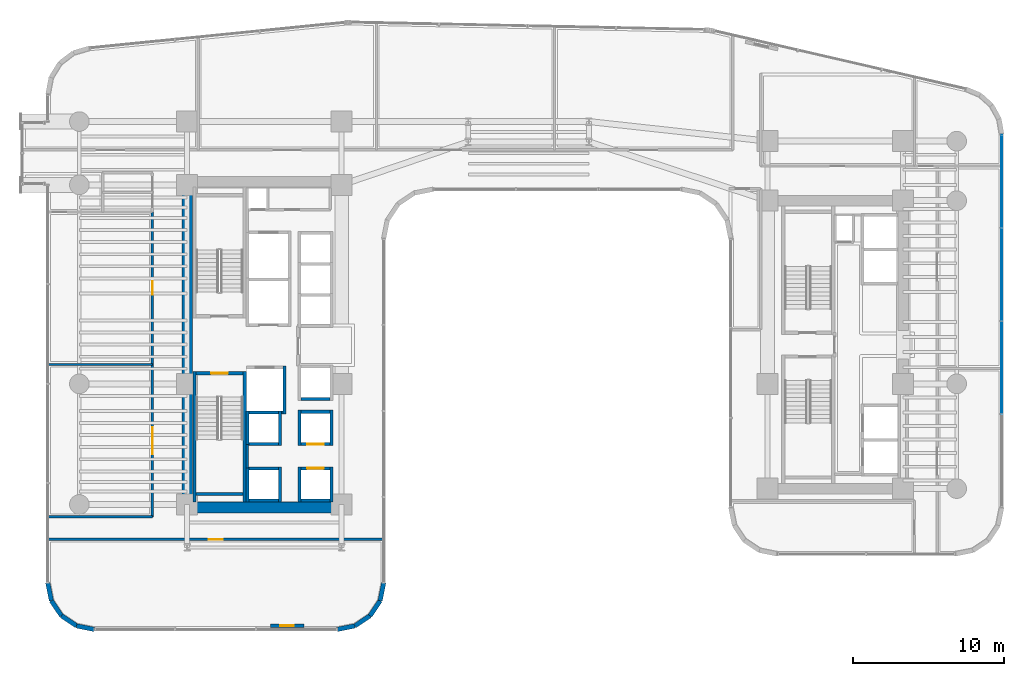
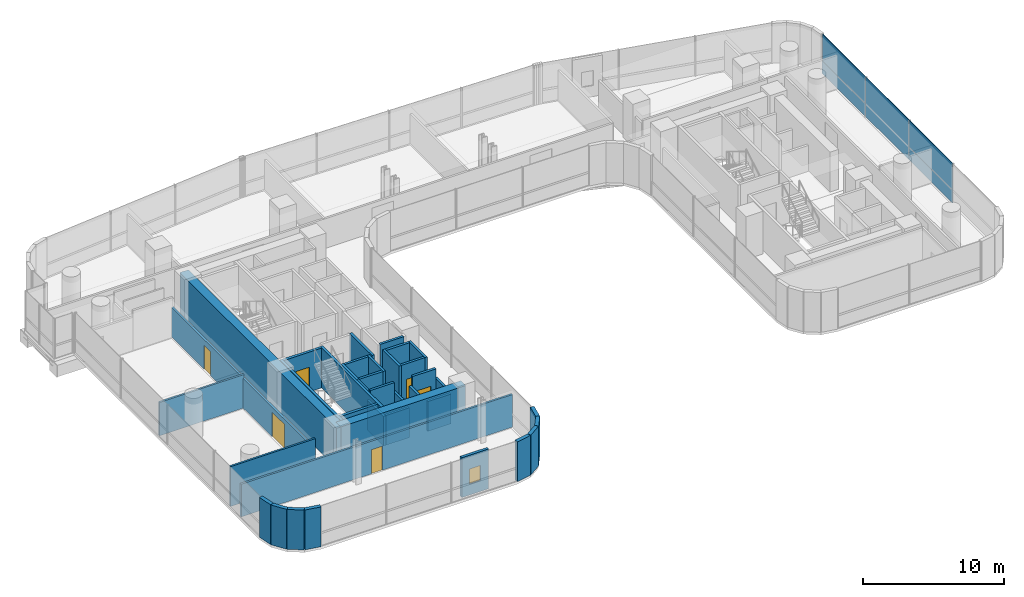
# One storey, part 31 of 40: 38 walls, 6 doors, 5 plates, 1 window, 7 openings, 1 element without a shape of its own.
"""IFC4 building model written with IfcOpenShell, lengths in metres."""

from ifc_helpers import new_model, si_unit, direction, frame, frame_2d, origin, origin_2d, place, context, subcontext, project, spatial, rectangle, extrude, source, transform, mapped, material, layer, layer_set, type_object, element, fill, aggregate, save


model = new_model("IFC4")

# Units and contexts
model_context = context("Model", 3, precision=1e-05, world=origin(), true_north=direction((0.0, 1.0)))
body_context = subcontext(model_context, "Body", "Model", "MODEL_VIEW")
ifc_project = project(units=[si_unit("LENGTHUNIT", "METRE"), si_unit("AREAUNIT", "SQUARE_METRE"), si_unit("VOLUMEUNIT", "CUBIC_METRE"), si_unit("PLANEANGLEUNIT", "RADIAN"), si_unit("MASSUNIT", "GRAM", prefix="KILO")], contexts=[model_context])

# Site, building, storey
site_placement = place(None, origin())
site = spatial("IfcSite", under=ifc_project, at=site_placement, CompositionType="ELEMENT")
building_placement = place(site_placement, origin())
building = spatial("IfcBuilding", under=site, at=building_placement, Name="Valdorenza Pilgrim Sanctuary Tower", CompositionType="ELEMENT")
storey_placement = place(building_placement, frame((0.0, 0.0, 51.89990234375)))
storey = spatial("IfcBuildingStorey", under=building, at=storey_placement, Name="L12", CompositionType="ELEMENT", Elevation=51.89990234375)

# Curtain wall, plates
ifc_material_1 = material(Name="Curtain-wall IGU glazing", Category="glass")
curtain_wall_type = type_object("IfcCurtainWallType", Name="CW-SYS-03", PredefinedType="NOTDEFINED", material=ifc_material_1)
curtain_wall_placement = place(storey_placement, origin())
curtain_wall = element("IfcCurtainWall", 1, at=curtain_wall_placement, inside=storey, type_object=curtain_wall_type, Name="L12 Curtain Wall CW-L12-1-21", PredefinedType="NOTDEFINED")
ifc_material_2 = material(Name="Honed travertine limestone", Category="masonry")
ifc_layer_1 = layer(ifc_material_2, 0.050048828125, Name="Honed travertine limestone")
ifc_layer_set_1 = layer_set([ifc_layer_1], Name="Honed travertine limestone")
plate_type_1 = type_object("IfcPlateType", Name="CW-SPN-TRV", PredefinedType="USERDEFINED", material=ifc_layer_set_1)
shared_shape_1 = source(origin(), body_context, "Body", "SweptSolid", [
    extrude(rectangle(XDim=6.16357421875, YDim=0.06005859375, at=origin_2d()), origin(), (0.0, 0.0, 1.0), 1.10009765625),
])
plate_1_placement = place(storey_placement, frame((31.389892578125, 10.853271484375, 0.010009765625), z_axis=(0.0, 0.0, 1.0), x_axis=(0.0, -1.0, 0.0)))
plate_1 = element("IfcPlate", 2, at=plate_1_placement, type_object=plate_type_1, Name="CW-L12-1-21 Travertine Spandrel 1", ObjectType="SPANDREL", PredefinedType="USERDEFINED", context=body_context, shape_type="MappedRepresentation", body=[
    mapped(shared_shape_1, transform((0.0, 0.0, 0.0), x_axis=(1.0, 0.0, 0.0), y_axis=(0.0, 1.0, 0.0), z_axis=(0.0, 0.0, 1.0), scale=1.0)),
])
plate_2_placement = place(storey_placement, frame((31.389892578125, -1.513916015625, 0.010009765625), z_axis=(0.0, 0.0, 1.0), x_axis=(0.0, -1.0, 0.0)))
plate_2 = element("IfcPlate", 3, at=plate_2_placement, type_object=plate_type_1, Name="CW-L12-1-21 Travertine Spandrel 3", ObjectType="SPANDREL", PredefinedType="USERDEFINED", context=body_context, shape_type="MappedRepresentation", body=[
    mapped(shared_shape_1, transform((0.0, 0.0, 0.0), x_axis=(1.0, 0.0, 0.0), y_axis=(0.0, 1.0, 0.0), z_axis=(0.0, 0.0, 1.0), scale=1.0)),
])
ifc_material_3 = material(Name="Ceramic-fritted low-E IGU glazing", Category="glass")
ifc_layer_2 = layer(ifc_material_3, 0.035888671875, Name="Ceramic-fritted low-E IGU glazing")
ifc_layer_set_2 = layer_set([ifc_layer_2], Name="Ceramic-fritted low-E IGU glazing")
plate_type_2 = type_object("IfcPlateType", Name="CW-GLZ-IGU", PredefinedType="USERDEFINED", material=ifc_layer_set_2)
shared_shape_2 = source(origin(), body_context, "Body", "SweptSolid", [
    extrude(rectangle(XDim=6.16357421875, YDim=0.050048828125, at=origin_2d()), origin(), (0.0, 0.0, 1.0), 2.320068359375),
])
plate_3_placement = place(storey_placement, frame((31.389892578125, 10.853271484375, 1.1298828125), z_axis=(0.0, 0.0, 1.0), x_axis=(0.0, -1.0, 0.0)))
plate_3 = element("IfcPlate", 4, at=plate_3_placement, type_object=plate_type_2, Name="CW-L12-1-21 Facade Panel 1", ObjectType="GLAZING", PredefinedType="USERDEFINED", context=body_context, shape_type="MappedRepresentation", body=[
    mapped(shared_shape_2, transform((0.0, 0.0, 0.0), x_axis=(1.0, 0.0, 0.0), y_axis=(0.0, 1.0, 0.0), z_axis=(0.0, 0.0, 1.0), scale=1.0)),
])
plate_4_placement = place(storey_placement, frame((31.389892578125, -1.513916015625, 1.1298828125), z_axis=(0.0, 0.0, 1.0), x_axis=(0.0, -1.0, 0.0)))
plate_4 = element("IfcPlate", 5, at=plate_4_placement, type_object=plate_type_2, Name="CW-L12-1-21 Facade Panel 3", ObjectType="GLAZING", PredefinedType="USERDEFINED", context=body_context, shape_type="MappedRepresentation", body=[
    mapped(shared_shape_2, transform((0.0, 0.0, 0.0), x_axis=(1.0, 0.0, 0.0), y_axis=(0.0, 1.0, 0.0), z_axis=(0.0, 0.0, 1.0), scale=1.0)),
])
shared_shape_3 = source(origin(), body_context, "Body", "SweptSolid", [
    extrude(rectangle(XDim=6.16357421875, YDim=0.050048828125, at=origin_2d()), origin(), (0.0, 0.0, 1.0), 3.43994140625),
])
plate_5_placement = place(storey_placement, frame((31.389892578125, 4.669677734375, 0.010009765625), z_axis=(0.0, 0.0, 1.0), x_axis=(0.0, -1.0, 0.0)))
plate_5 = element("IfcPlate", 6, at=plate_5_placement, type_object=plate_type_2, Name="CW-L12-1-21 Full-Height Facade Panel 2", ObjectType="GLAZING", PredefinedType="USERDEFINED", context=body_context, shape_type="MappedRepresentation", body=[
    mapped(shared_shape_3, transform((0.0, 0.0, 0.0), x_axis=(1.0, 0.0, 0.0), y_axis=(0.0, 1.0, 0.0), z_axis=(0.0, 0.0, 1.0), scale=1.0)),
])
aggregate(curtain_wall, [plate_1, plate_3, plate_5, plate_2, plate_4])

# Wall
ifc_material_4 = material(Name="Acoustic twin-stud gypsum partition", Category="gypsum")
ifc_layer_3 = layer(ifc_material_4, 0.159912109375, Name="Acoustic twin-stud gypsum partition")
ifc_layer_set_3 = layer_set([ifc_layer_3], Name="Acoustic twin-stud gypsum partition")
wall_type_1 = type_object("IfcWallType", Name="WAL-COR-160", PredefinedType="PARTITIONING", material=ifc_layer_set_3)
wall_1_placement = place(storey_placement, frame((-18.64990234375, -8.179931640625, 0.0), z_axis=(0.0, 0.0, 1.0), x_axis=(0.0, 1.0, 0.0)))
element("IfcWall", 7, at=wall_1_placement, inside=storey, type_object=wall_type_1, Name="L12 Core A South Lift Hall West Wall", PredefinedType="PARTITIONING", context=body_context, shape_type="SweptSolid", body=[
    extrude(rectangle(XDim=1.559814453125, YDim=0.159912109375, at=frame_2d((0.77978515625, 0.0))), origin(), (0.0, 0.0, 1.0), 3.460205078125),
])

# Wall, openings, doors
wall_2_placement = place(storey_placement, frame((-24.949951171875, -11.419921875, 0.0), z_axis=(0.0, 0.0, 1.0), x_axis=(0.0, 1.0, 0.0)))
wall_2 = element("IfcWall", 8, at=wall_2_placement, inside=storey, type_object=wall_type_1, Name="L12 West Wing Corridor Wall", PredefinedType="PARTITIONING", context=body_context, shape_type="SweptSolid", body=[
    extrude(rectangle(XDim=20.219970703125, YDim=0.159912109375, at=frame_2d((10.10986328125, 0.0))), origin(), (0.0, 0.0, 1.0), 2.5830078125),
])
opening_1_placement = place(wall_2_placement, frame((4.155029296875, 0.0, 0.0)))
opening_1 = element("IfcOpeningElement", 9, at=opening_1_placement, cuts=wall_2, Name="Opening DR-HL1", PredefinedType="OPENING", context=body_context, shape_type="SweptSolid", body=[
    extrude(rectangle(XDim=1.800048828125, YDim=2.14990234375, at=frame_2d((0.89990234375, 1.074951171875))), frame((0.0, 0.0947265625, 0.0), z_axis=(0.0, -1.0, 0.0), x_axis=(1.0, 0.0, 0.0)), (0.0, 0.0, 1.0), 0.189697265625),
])
opening_2_placement = place(wall_2_placement, frame((14.715087890625, 0.0, 0.0)))
opening_2 = element("IfcOpeningElement", 10, at=opening_2_placement, cuts=wall_2, Name="Opening DR-RM1", PredefinedType="OPENING", context=body_context, shape_type="SweptSolid", body=[
    extrude(rectangle(XDim=0.89990234375, YDim=2.10009765625, at=frame_2d((0.449951171875, 1.050048828125))), frame((0.0, 0.0947265625, 0.0), z_axis=(0.0, -1.0, 0.0), x_axis=(1.0, 0.0, 0.0)), (0.0, 0.0, 1.0), 0.189697265625),
])
ifc_material_5 = material(Name="Acoustic oak and vision-glass double door", Category="glass")
door_type_1 = type_object("IfcDoorType", Name="DR-HALL-1800", OperationType="NOTDEFINED", PredefinedType="DOOR", material=ifc_material_5)
door_1_placement = place(opening_1_placement, origin())
door_1 = element("IfcDoor", 11, at=door_1_placement, inside=storey, type_object=door_type_1, Name="L12 Sacred Art Exhibition Gallery L12-W1 Door", OperationType="DOUBLE_DOOR_SINGLE_SWING", OverallHeight=2.14990234375, OverallWidth=1.800048828125, PredefinedType="DOOR", context=body_context, shape_type="SweptSolid", body=[
    extrude(rectangle(XDim=1.800048828125, YDim=2.14990234375, at=frame_2d((0.89990234375, 1.074951171875))), frame((0.0, 0.02490234375, 0.0), z_axis=(0.0, -1.0, 0.0), x_axis=(1.0, 0.0, 0.0)), (0.0, 0.0, 1.0), 0.050048828125),
])
fill(opening_1, door_1)
ifc_material_6 = material(Name="Solid-core European oak timber", Category="wood")
door_type_2 = type_object("IfcDoorType", Name="DR-ROOM-900", OperationType="NOTDEFINED", PredefinedType="DOOR", material=ifc_material_6)
door_2_placement = place(opening_2_placement, frame((0.89990234375, 0.0, 0.0), z_axis=(0.0, 0.0, 1.0), x_axis=(-1.0, 0.0, 0.0)))
door_2 = element("IfcDoor", 12, at=door_2_placement, inside=storey, type_object=door_type_2, Name="L12 Sacred Manuscript Archive L12-W2 Door", OperationType="SINGLE_SWING_LEFT", OverallHeight=2.10009765625, OverallWidth=0.89990234375, PredefinedType="DOOR", context=body_context, shape_type="SweptSolid", body=[
    extrude(rectangle(XDim=0.89990234375, YDim=2.10009765625, at=frame_2d((0.449951171875, 1.050048828125))), frame((0.0, 0.02490234375, 0.0), z_axis=(0.0, -1.0, 0.0), x_axis=(1.0, 0.0, 0.0)), (0.0, 0.0, 1.0), 0.050048828125),
])
fill(opening_2, door_2)

# Wall, opening, door
wall_3_placement = place(storey_placement, frame((-31.889892578125, -12.919921875, 0.0), z_axis=(0.0, 0.0, 1.0), x_axis=(1.0, 0.0, 0.0)))
wall_3 = element("IfcWall", 13, at=wall_3_placement, inside=storey, type_object=wall_type_1, Name="L12 South Wing Corridor Wall", PredefinedType="PARTITIONING", context=body_context, shape_type="SweptSolid", body=[
    extrude(rectangle(XDim=22.27978515625, YDim=0.159912109375, at=frame_2d((11.139892578125, 0.0))), origin(), (0.0, 0.0, 1.0), 2.833984375),
])
opening_3_placement = place(wall_3_placement, frame((10.68994140625, 0.0, 0.0)))
opening_3 = element("IfcOpeningElement", 14, at=opening_3_placement, cuts=wall_3, Name="Opening DR-RM1", PredefinedType="OPENING", context=body_context, shape_type="SweptSolid", body=[
    extrude(rectangle(XDim=0.89990234375, YDim=2.10009765625, at=frame_2d((0.449951171875, 1.050048828125))), frame((0.0, 0.0947265625, 0.0), z_axis=(0.0, -1.0, 0.0), x_axis=(1.0, 0.0, 0.0)), (0.0, 0.0, 1.0), 0.189697265625),
])
door_3_placement = place(opening_3_placement, origin())
door_3 = element("IfcDoor", 15, at=door_3_placement, inside=storey, type_object=door_type_2, Name="L12 Pilgrim Scholar Office L12-S1 Door", OperationType="SINGLE_SWING_RIGHT", OverallHeight=2.10009765625, OverallWidth=0.89990234375, PredefinedType="DOOR", context=body_context, shape_type="SweptSolid", body=[
    extrude(rectangle(XDim=0.89990234375, YDim=2.10009765625, at=frame_2d((0.449951171875, 1.050048828125))), frame((0.0, 0.02490234375, 0.0), z_axis=(0.0, -1.0, 0.0), x_axis=(1.0, 0.0, 0.0)), (0.0, 0.0, 1.0), 0.050048828125),
])
fill(opening_3, door_3)

# Walls
wall_4_placement = place(storey_placement, frame((-31.889892578125, -11.419921875, 0.0), z_axis=(0.0, 0.0, 1.0), x_axis=(1.0, 0.0, 0.0)))
element("IfcWall", 16, at=wall_4_placement, inside=storey, type_object=wall_type_1, Name="L12 South-West Corridor North Wall", PredefinedType="PARTITIONING", context=body_context, shape_type="SweptSolid", body=[
    extrude(rectangle(XDim=6.93994140625, YDim=0.159912109375, at=frame_2d((3.469970703125, 0.0))), origin(), (0.0, 0.0, 1.0), 3.460205078125),
])
ifc_material_7 = material(Name="Concrete C60/75", Category="concrete")
ifc_layer_4 = layer(ifc_material_7, 0.699951171875, Name="Concrete C60/75")
ifc_layer_set_4 = layer_set([ifc_layer_4], Name="Concrete C60/75")
wall_type_2 = type_object("IfcWallType", Name="WAL-COR-700", PredefinedType="SHEAR", material=ifc_layer_set_4)
wall_5_placement = place(storey_placement, frame((-22.64990234375, -11.14990234375, 0.0), z_axis=(0.0, 0.0, 1.0), x_axis=(0.0, 1.0, 0.0)))
element("IfcWall", 17, at=wall_5_placement, inside=storey, type_object=wall_type_2, Name="L12 Split Core A Shear Wall W", PredefinedType="SHEAR", context=body_context, shape_type="SweptSolid", body=[
    extrude(rectangle(XDim=22.2998046875, YDim=0.699951171875, at=frame_2d((11.14990234375, 0.0))), origin(), (0.0, 0.0, 1.0), 3.460205078125),
])
wall_6_placement = place(storey_placement, frame((-22.64990234375, -10.800048828125, 0.0), z_axis=(0.0, 0.0, 1.0), x_axis=(1.0, 0.0, 0.0)))
element("IfcWall", 18, at=wall_6_placement, inside=storey, type_object=wall_type_2, Name="L12 Split Core A Shear Wall S", PredefinedType="SHEAR", context=body_context, shape_type="SweptSolid", body=[
    extrude(rectangle(XDim=10.25, YDim=0.699951171875, at=frame_2d((5.125, 0.0))), origin(), (0.0, 0.0, 1.0), 3.460205078125),
])
ifc_layer_5 = layer(ifc_material_2, 0.300048828125, Name="Honed travertine limestone")
ifc_layer_set_5 = layer_set([ifc_layer_5], Name="Honed travertine limestone")
wall_type_3 = type_object("IfcWallType", Name="WAL-EXT-300", PredefinedType="SOLIDWALL", material=ifc_layer_set_5)
wall_7_placement = place(storey_placement, frame((-9.610107421875, -15.789306640625, 0.0), z_axis=(0.0, 0.0, 1.0), x_axis=(-0.194996050505, -0.980804027463, 0.0)))
element("IfcWall", 19, at=wall_7_placement, inside=storey, type_object=wall_type_3, Name="L12 Rounded Wind-Corner Stone Pier 42", PredefinedType="SOLIDWALL", context=body_context, shape_type="SweptSolid", body=[
    extrude(rectangle(XDim=1.2158203125, YDim=0.300048828125, at=frame_2d((0.60791015625, 0.0))), origin(), (0.0, 0.0, 1.0), 3.460205078125),
])
for number, where, z_axis, x_axis, name in (
    (20, (-9.84716796875, -16.981689453125, 0.0), (0.0, 0.0, 1.0), (-0.555635100982, -0.831426265255, 0.0), "L12 Rounded Wind-Corner Stone Pier 43"),
    (21, (-10.5166015625, -17.9833984375, 0.0), (0.0, 0.0, 1.0), (-0.831426265255, -0.555635100982, 0.0), "L12 Rounded Wind-Corner Stone Pier 44"),
):
    element("IfcWall", number, at=place(storey_placement, frame(where, z_axis=z_axis, x_axis=x_axis)), inside=storey, type_object=wall_type_3, Name=name, PredefinedType="SOLIDWALL", context=body_context, shape_type="SweptSolid", body=[
        extrude(rectangle(XDim=1.204833984375, YDim=0.300048828125, at=frame_2d((0.6025390625, 0.0))), origin(), (0.0, 0.0, 1.0), 3.460205078125),
    ])
wall_8_placement = place(storey_placement, frame((-11.518310546875, -18.65283203125, 0.0), z_axis=(0.0, 0.0, 1.0), x_axis=(-0.980804027463, -0.194996050505, 0.0)))
element("IfcWall", 22, at=wall_8_placement, inside=storey, type_object=wall_type_3, Name="L12 Rounded Wind-Corner Stone Pier 45", PredefinedType="SOLIDWALL", context=body_context, shape_type="SweptSolid", body=[
    extrude(rectangle(XDim=1.2158203125, YDim=0.300048828125, at=frame_2d((0.60791015625, 0.0))), origin(), (0.0, 0.0, 1.0), 3.460205078125),
])

# Wall, opening, window
wall_9_placement = place(storey_placement, frame((-14.910888671875, -18.64990234375, 0.0), z_axis=(0.0, 0.0, 1.0), x_axis=(-1.0, 0.0, 0.0)))
wall_9 = element("IfcWall", 23, at=wall_9_placement, inside=storey, type_object=wall_type_3, Name="L12 Operable Ventilation Sash Jamb Pier", PredefinedType="SOLIDWALL", context=body_context, shape_type="SweptSolid", body=[
    extrude(rectangle(XDim=2.199951171875, YDim=0.219970703125, at=frame_2d((1.10009765625, 0.0))), origin(), (0.0, 0.0, 1.0), 3.460205078125),
])
opening_4_placement = place(wall_9_placement, frame((0.64990234375, 0.0, 0.949951171875)))
opening_4 = element("IfcOpeningElement", 24, at=opening_4_placement, cuts=wall_9, Name="Opening WN-OP1", PredefinedType="OPENING", context=body_context, shape_type="SweptSolid", body=[
    extrude(rectangle(XDim=0.89990234375, YDim=1.300048828125, at=frame_2d((0.449951171875, 0.64990234375))), frame((0.0, 0.125, 0.0), z_axis=(0.0, -1.0, 0.0), x_axis=(1.0, 0.0, 0.0)), (0.0, 0.0, 1.0), 0.249755859375),
])
window_type = type_object("IfcWindowType", Name="WIN-OPN-900", PartitioningType="SINGLE_PANEL", PredefinedType="WINDOW", material=ifc_material_3)
window_placement = place(opening_4_placement, origin())
window = element("IfcWindow", 25, at=window_placement, inside=storey, type_object=window_type, Name="L12 Parallel-Pop-Out Operable Facade Panel", OverallHeight=1.300048828125, OverallWidth=0.89990234375, PartitioningType="SINGLE_PANEL", PredefinedType="WINDOW", context=body_context, shape_type="SweptSolid", body=[
    extrude(rectangle(XDim=0.89990234375, YDim=1.300048828125, at=frame_2d((0.449951171875, 0.64990234375))), frame((0.0, 0.030029296875, 0.0), z_axis=(0.0, -1.0, 0.0), x_axis=(1.0, 0.0, 0.0)), (0.0, 0.0, 1.0), 0.06005859375),
])
fill(opening_4, window)

# Walls
wall_10_placement = place(storey_placement, frame((-28.789306640625, -18.889892578125, 0.0), z_axis=(0.0, 0.0, 1.0), x_axis=(-0.980804027463, 0.194996050505, 0.0)))
element("IfcWall", 26, at=wall_10_placement, inside=storey, type_object=wall_type_3, Name="L12 Rounded Wind-Corner Stone Pier 47", PredefinedType="SOLIDWALL", context=body_context, shape_type="SweptSolid", body=[
    extrude(rectangle(XDim=1.2158203125, YDim=0.300048828125, at=frame_2d((0.60791015625, 0.0))), origin(), (0.0, 0.0, 1.0), 3.460205078125),
])
for number, where, z_axis, x_axis, name in (
    (27, (-29.981689453125, -18.65283203125, 0.0), (0.0, 0.0, 1.0), (-0.831426265255, 0.555635100982, 0.0), "L12 Rounded Wind-Corner Stone Pier 48"),
    (28, (-30.9833984375, -17.9833984375, 0.0), (0.0, 0.0, 1.0), (-0.555635100982, 0.831426265255, 0.0), "L12 Rounded Wind-Corner Stone Pier 49"),
):
    element("IfcWall", number, at=place(storey_placement, frame(where, z_axis=z_axis, x_axis=x_axis)), inside=storey, type_object=wall_type_3, Name=name, PredefinedType="SOLIDWALL", context=body_context, shape_type="SweptSolid", body=[
        extrude(rectangle(XDim=1.204833984375, YDim=0.300048828125, at=frame_2d((0.6025390625, 0.0))), origin(), (0.0, 0.0, 1.0), 3.460205078125),
    ])
wall_11_placement = place(storey_placement, frame((-31.65283203125, -16.981689453125, 0.0), z_axis=(0.0, 0.0, 1.0), x_axis=(-0.194996050505, 0.980804027463, 0.0)))
element("IfcWall", 29, at=wall_11_placement, inside=storey, type_object=wall_type_3, Name="L12 Rounded Wind-Corner Stone Pier 50", PredefinedType="SOLIDWALL", context=body_context, shape_type="SweptSolid", body=[
    extrude(rectangle(XDim=1.2158203125, YDim=0.300048828125, at=frame_2d((0.60791015625, 0.0))), origin(), (0.0, 0.0, 1.0), 3.460205078125),
])
ifc_material_8 = material(Name="Autoclaved aerated concrete blockwork", Category="masonry")
ifc_layer_6 = layer(ifc_material_8, 0.199951171875, Name="Autoclaved aerated concrete blockwork")
ifc_layer_set_6 = layer_set([ifc_layer_6], Name="Autoclaved aerated concrete blockwork")
wall_type_4 = type_object("IfcWallType", Name="WAL-SHF-200", PredefinedType="MOVABLE", material=ifc_layer_set_6)
wall_12_placement = place(storey_placement, frame((-16.199951171875, -4.60009765625, 0.0), z_axis=(0.0, 0.0, 1.0), x_axis=(0.0, 1.0, 0.0)))
element("IfcWall", 30, at=wall_12_placement, inside=storey, type_object=wall_type_4, Name="L12 Lift FFL-02 Hoistway Wall East", PredefinedType="MOVABLE", context=body_context, shape_type="SweptSolid", body=[
    extrude(rectangle(XDim=3.2001953125, YDim=0.199951171875, at=frame_2d((1.60009765625, 0.0))), origin(), (0.0, 0.0, 1.0), 3.460205078125),
])
wall_13_placement = place(storey_placement, frame((-18.719970703125, -4.5, 0.0), z_axis=(0.0, 0.0, 1.0), x_axis=(1.0, 0.0, 0.0)))
element("IfcWall", 31, at=wall_13_placement, inside=storey, type_object=wall_type_4, Name="L12 Lift FFL-02 Hoistway Wall South", PredefinedType="MOVABLE", context=body_context, shape_type="SweptSolid", body=[
    extrude(rectangle(XDim=2.419921875, YDim=0.199951171875, at=frame_2d((1.2099609375, 0.0))), origin(), (0.0, 0.0, 1.0), 3.460205078125),
])
for number, where, z_axis, x_axis, name in (
    (32, (-15.199951171875, -10.449951171875, 0.0), (0.0, 0.0, 1.0), (0.0, 1.0, 0.0), "L12 Lift PL-01 Hoistway Wall West"),
    (33, (-13.080078125, -10.449951171875, 0.0), (0.0, 0.0, 1.0), (0.0, 1.0, 0.0), "L12 Lift PL-01 Hoistway Wall East"),
):
    element("IfcWall", number, at=place(storey_placement, frame(where, z_axis=z_axis, x_axis=x_axis)), inside=storey, type_object=wall_type_4, Name=name, PredefinedType="MOVABLE", context=body_context, shape_type="SweptSolid", body=[
        extrude(rectangle(XDim=2.349853515625, YDim=0.199951171875, at=frame_2d((1.1748046875, 0.0))), origin(), (0.0, 0.0, 1.0), 2.5830078125),
    ])
wall_14_placement = place(storey_placement, frame((-15.10009765625, -10.35009765625, 0.0), z_axis=(0.0, 0.0, 1.0), x_axis=(1.0, 0.0, 0.0)))
element("IfcWall", 34, at=wall_14_placement, inside=storey, type_object=wall_type_4, Name="L12 Lift PL-01 Hoistway Wall South", PredefinedType="MOVABLE", context=body_context, shape_type="SweptSolid", body=[
    extrude(rectangle(XDim=1.920166015625, YDim=0.199951171875, at=frame_2d((0.9599609375, 0.0))), origin(), (0.0, 0.0, 1.0), 2.5830078125),
])

# Wall, opening, door
wall_15_placement = place(storey_placement, frame((-15.10009765625, -8.199951171875, 0.0), z_axis=(0.0, 0.0, 1.0), x_axis=(1.0, 0.0, 0.0)))
wall_15 = element("IfcWall", 35, at=wall_15_placement, inside=storey, type_object=wall_type_4, Name="L12 Lift PL-01 Hoistway Wall North", PredefinedType="MOVABLE", context=body_context, shape_type="SweptSolid", body=[
    extrude(rectangle(XDim=1.920166015625, YDim=0.199951171875, at=frame_2d((0.9599609375, 0.0))), origin(), (0.0, 0.0, 1.0), 3.460205078125),
])
opening_5_placement = place(wall_15_placement, frame((0.409912109375, 0.0, 0.0)))
opening_5 = element("IfcOpeningElement", 36, at=opening_5_placement, cuts=wall_15, Name="Opening LD-01", PredefinedType="OPENING", context=body_context, shape_type="SweptSolid", body=[
    extrude(rectangle(XDim=1.10009765625, YDim=2.10009765625, at=frame_2d((0.550048828125, 1.050048828125))), frame((0.0, 0.11474609375, 0.0), z_axis=(0.0, -1.0, 0.0), x_axis=(1.0, 0.0, 0.0)), (0.0, 0.0, 1.0), 0.229736328125),
])
ifc_material_9 = material(Name="Brushed stainless steel Grade 316", Category="steel")
door_type_3 = type_object("IfcDoorType", Name="DR-LFT-1100", OperationType="DOUBLE_DOOR_SLIDING", PredefinedType="DOOR", material=ifc_material_9)
door_4_placement = place(opening_5_placement, origin())
door_4 = element("IfcDoor", 37, at=door_4_placement, inside=storey, type_object=door_type_3, Name="L12 Lift PL-01 Sliding Landing Door", OperationType="DOUBLE_DOOR_SLIDING", OverallHeight=2.10009765625, OverallWidth=1.10009765625, PredefinedType="DOOR", context=body_context, shape_type="SweptSolid", body=[
    extrude(rectangle(XDim=1.10009765625, YDim=2.10009765625, at=frame_2d((0.550048828125, 1.050048828125))), frame((0.0, 0.02490234375, 0.0), z_axis=(0.0, -1.0, 0.0), x_axis=(1.0, 0.0, 0.0)), (0.0, 0.0, 1.0), 0.050048828125),
])
fill(opening_5, door_4)

# Walls
for number, where, z_axis, x_axis, name in (
    (38, (-15.199951171875, -6.699951171875, 0.0), (0.0, 0.0, 1.0), (0.0, 1.0, 0.0), "L12 Lift PL-02 Hoistway Wall West"),
    (39, (-13.080078125, -6.699951171875, 0.0), (0.0, 0.0, 1.0), (0.0, 1.0, 0.0), "L12 Lift PL-02 Hoistway Wall East"),
):
    element("IfcWall", number, at=place(storey_placement, frame(where, z_axis=z_axis, x_axis=x_axis)), inside=storey, type_object=wall_type_4, Name=name, PredefinedType="MOVABLE", context=body_context, shape_type="SweptSolid", body=[
        extrude(rectangle(XDim=2.349853515625, YDim=0.199951171875, at=frame_2d((1.1748046875, 0.0))), origin(), (0.0, 0.0, 1.0), 3.460205078125),
    ])

# Wall, opening, door
wall_16_placement = place(storey_placement, frame((-15.10009765625, -6.60009765625, 0.0), z_axis=(0.0, 0.0, 1.0), x_axis=(1.0, 0.0, 0.0)))
wall_16 = element("IfcWall", 40, at=wall_16_placement, inside=storey, type_object=wall_type_4, Name="L12 Lift PL-02 Hoistway Wall South", PredefinedType="MOVABLE", context=body_context, shape_type="SweptSolid", body=[
    extrude(rectangle(XDim=1.920166015625, YDim=0.199951171875, at=frame_2d((0.9599609375, 0.0))), origin(), (0.0, 0.0, 1.0), 3.460205078125),
])
opening_6_placement = place(wall_16_placement, frame((0.409912109375, 0.0, 0.0)))
opening_6 = element("IfcOpeningElement", 41, at=opening_6_placement, cuts=wall_16, Name="Opening LD-01", PredefinedType="OPENING", context=body_context, shape_type="SweptSolid", body=[
    extrude(rectangle(XDim=1.10009765625, YDim=2.10009765625, at=frame_2d((0.550048828125, 1.050048828125))), frame((0.0, 0.11474609375, 0.0), z_axis=(0.0, -1.0, 0.0), x_axis=(1.0, 0.0, 0.0)), (0.0, 0.0, 1.0), 0.229736328125),
])
door_5_placement = place(opening_6_placement, origin())
door_5 = element("IfcDoor", 42, at=door_5_placement, inside=storey, type_object=door_type_3, Name="L12 Lift PL-02 Sliding Landing Door", OperationType="DOUBLE_DOOR_SLIDING", OverallHeight=2.10009765625, OverallWidth=1.10009765625, PredefinedType="DOOR", context=body_context, shape_type="SweptSolid", body=[
    extrude(rectangle(XDim=1.10009765625, YDim=2.10009765625, at=frame_2d((0.550048828125, 1.050048828125))), frame((0.0, 0.02490234375, 0.0), z_axis=(0.0, -1.0, 0.0), x_axis=(1.0, 0.0, 0.0)), (0.0, 0.0, 1.0), 0.050048828125),
])
fill(opening_6, door_5)

# Walls
wall_17_placement = place(storey_placement, frame((-15.10009765625, -4.449951171875, 0.0), z_axis=(0.0, 0.0, 1.0), x_axis=(1.0, 0.0, 0.0)))
element("IfcWall", 43, at=wall_17_placement, inside=storey, type_object=wall_type_4, Name="L12 Lift PL-02 Hoistway Wall North", PredefinedType="MOVABLE", context=body_context, shape_type="SweptSolid", body=[
    extrude(rectangle(XDim=1.920166015625, YDim=0.199951171875, at=frame_2d((0.9599609375, 0.0))), origin(), (0.0, 0.0, 1.0), 3.460205078125),
])
for number, where, z_axis, x_axis, name in (
    (44, (-18.64990234375, -10.449951171875, 0.0), (0.0, 0.0, 1.0), (0.0, 1.0, 0.0), "L12 Lift PL-05 Hoistway Wall West"),
    (45, (-16.5, -10.449951171875, 0.0), (0.0, 0.0, 1.0), (0.0, 1.0, 0.0), "L12 Lift PL-05 Hoistway Wall East"),
):
    element("IfcWall", number, at=place(storey_placement, frame(where, z_axis=z_axis, x_axis=x_axis)), inside=storey, type_object=wall_type_4, Name=name, PredefinedType="MOVABLE", context=body_context, shape_type="SweptSolid", body=[
        extrude(rectangle(XDim=2.349853515625, YDim=0.199951171875, at=frame_2d((1.1748046875, 0.0))), origin(), (0.0, 0.0, 1.0), 2.5830078125),
    ])
wall_18_placement = place(storey_placement, frame((-18.550048828125, -10.35009765625, 0.0), z_axis=(0.0, 0.0, 1.0), x_axis=(1.0, 0.0, 0.0)))
element("IfcWall", 46, at=wall_18_placement, inside=storey, type_object=wall_type_4, Name="L12 Lift PL-05 Hoistway Wall South", PredefinedType="MOVABLE", context=body_context, shape_type="SweptSolid", body=[
    extrude(rectangle(XDim=1.949951171875, YDim=0.199951171875, at=frame_2d((0.97509765625, 0.0))), origin(), (0.0, 0.0, 1.0), 2.5830078125),
])
wall_19_placement = place(storey_placement, frame((-18.550048828125, -8.199951171875, 0.0), z_axis=(0.0, 0.0, 1.0), x_axis=(1.0, 0.0, 0.0)))
element("IfcWall", 47, at=wall_19_placement, inside=storey, type_object=wall_type_4, Name="L12 Lift PL-05 Hoistway Wall North", PredefinedType="MOVABLE", context=body_context, shape_type="SweptSolid", body=[
    extrude(rectangle(XDim=1.949951171875, YDim=0.199951171875, at=frame_2d((0.97509765625, 0.0))), origin(), (0.0, 0.0, 1.0), 3.460205078125),
])
for number, where, z_axis, x_axis, name in (
    (48, (-18.64990234375, -6.699951171875, 0.0), (0.0, 0.0, 1.0), (0.0, 1.0, 0.0), "L12 Lift PL-11 Hoistway Wall West"),
    (49, (-16.5, -6.699951171875, 0.0), (0.0, 0.0, 1.0), (0.0, 1.0, 0.0), "L12 Lift PL-11 Hoistway Wall East"),
):
    element("IfcWall", number, at=place(storey_placement, frame(where, z_axis=z_axis, x_axis=x_axis)), inside=storey, type_object=wall_type_4, Name=name, PredefinedType="MOVABLE", context=body_context, shape_type="SweptSolid", body=[
        extrude(rectangle(XDim=2.300048828125, YDim=0.199951171875, at=frame_2d((1.14990234375, 0.0))), origin(), (0.0, 0.0, 1.0), 3.460205078125),
    ])
wall_20_placement = place(storey_placement, frame((-18.550048828125, -6.60009765625, 0.0), z_axis=(0.0, 0.0, 1.0), x_axis=(1.0, 0.0, 0.0)))
element("IfcWall", 50, at=wall_20_placement, inside=storey, type_object=wall_type_4, Name="L12 Lift PL-11 Hoistway Wall South", PredefinedType="MOVABLE", context=body_context, shape_type="SweptSolid", body=[
    extrude(rectangle(XDim=1.949951171875, YDim=0.199951171875, at=frame_2d((0.97509765625, 0.0))), origin(), (0.0, 0.0, 1.0), 3.460205078125),
])
wall_21_placement = place(storey_placement, frame((-15.10009765625, -3.60009765625, 0.0), z_axis=(0.0, 0.0, 1.0), x_axis=(1.0, 0.0, 0.0)))
element("IfcWall", 51, at=wall_21_placement, inside=storey, type_object=wall_type_4, Name="L12 Lift PL-12 Hoistway Wall South", PredefinedType="MOVABLE", context=body_context, shape_type="SweptSolid", body=[
    extrude(rectangle(XDim=1.920166015625, YDim=0.199951171875, at=frame_2d((0.9599609375, 0.0))), origin(), (0.0, 0.0, 1.0), 3.460205078125),
])
ifc_material_10 = material(Name="Concrete C40/50", Category="concrete")
ifc_layer_7 = layer(ifc_material_10, 0.219970703125, Name="Concrete C40/50")
ifc_layer_set_7 = layer_set([ifc_layer_7], Name="Concrete C40/50")
wall_type_5 = type_object("IfcWallType", Name="WAL-STR-SHF-220", PredefinedType="SHEAR", material=ifc_layer_set_7)
for number, where, z_axis, x_axis, name in (
    (52, (-22.159912109375, -10.449951171875, 0.0), (0.0, 0.0, 1.0), (0.0, 1.0, 0.0), "L12 ST-A2 Structural Stairwell Wall W"),
    (53, (-18.830078125, -10.449951171875, 0.0), (0.0, 0.0, 1.0), (0.0, 1.0, 0.0), "L12 ST-A2 Structural Stairwell Wall E"),
):
    element("IfcWall", number, at=place(storey_placement, frame(where, z_axis=z_axis, x_axis=x_axis)), inside=storey, type_object=wall_type_5, Name=name, PredefinedType="SHEAR", context=body_context, shape_type="SweptSolid", body=[
        extrude(rectangle(XDim=8.669921875, YDim=0.219970703125, at=frame_2d((4.3349609375, 0.0))), origin(), (0.0, 0.0, 1.0), 3.460205078125),
    ])
wall_22_placement = place(storey_placement, frame((-22.050048828125, -9.909912109375, 0.0), z_axis=(0.0, 0.0, 1.0), x_axis=(1.0, 0.0, 0.0)))
element("IfcWall", 54, at=wall_22_placement, inside=storey, type_object=wall_type_5, Name="L12 ST-A2 Structural Stairwell Wall S", PredefinedType="SHEAR", context=body_context, shape_type="SweptSolid", body=[
    extrude(rectangle(XDim=3.110107421875, YDim=0.219970703125, at=frame_2d((1.55517578125, 0.0))), origin(), (0.0, 0.0, 1.0), 3.460205078125),
])

# Wall, opening, door
wall_23_placement = place(storey_placement, frame((-22.050048828125, -1.889892578125, 0.0), z_axis=(0.0, 0.0, 1.0), x_axis=(1.0, 0.0, 0.0)))
wall_23 = element("IfcWall", 55, at=wall_23_placement, inside=storey, type_object=wall_type_5, Name="L12 ST-A2 Structural Stairwell Wall N", PredefinedType="SHEAR", context=body_context, shape_type="SweptSolid", body=[
    extrude(rectangle(XDim=3.110107421875, YDim=0.219970703125, at=frame_2d((1.55517578125, 0.0))), origin(), (0.0, 0.0, 1.0), 3.460205078125),
])
opening_7_placement = place(wall_23_placement, frame((1.0, 0.0, 0.0)))
opening_7 = element("IfcOpeningElement", 56, at=opening_7_placement, cuts=wall_23, Name="Opening DR-ST1", PredefinedType="OPENING", context=body_context, shape_type="SweptSolid", body=[
    extrude(rectangle(XDim=1.10009765625, YDim=2.14990234375, at=frame_2d((0.550048828125, 1.074951171875))), frame((0.0, 0.125, 0.0), z_axis=(0.0, -1.0, 0.0), x_axis=(1.0, 0.0, 0.0)), (0.0, 0.0, 1.0), 0.249755859375),
])
ifc_material_11 = material(Name="Painted galvanized steel", Category="steel")
door_type_4 = type_object("IfcDoorType", Name="DR-STAIR-1100", OperationType="NOTDEFINED", PredefinedType="DOOR", material=ifc_material_11)
door_6_placement = place(opening_7_placement, origin())
door_6 = element("IfcDoor", 57, at=door_6_placement, inside=storey, type_object=door_type_4, Name="L12 Exit Stair ST-A2 Door", OperationType="SINGLE_SWING_RIGHT", OverallHeight=2.14990234375, OverallWidth=1.10009765625, PredefinedType="DOOR", context=body_context, shape_type="SweptSolid", body=[
    extrude(rectangle(XDim=1.10009765625, YDim=2.14990234375, at=frame_2d((0.550048828125, 1.074951171875))), frame((0.0, 0.02490234375, 0.0), z_axis=(0.0, -1.0, 0.0), x_axis=(1.0, 0.0, 0.0)), (0.0, 0.0, 1.0), 0.050048828125),
])
fill(opening_7, door_6)

# Wall
ifc_layer_8 = layer(ifc_material_4, 0.14990234375, Name="Acoustic twin-stud gypsum partition")
ifc_layer_set_8 = layer_set([ifc_layer_8], Name="Acoustic twin-stud gypsum partition")
wall_type_6 = type_object("IfcWallType", Name="WAL-UNT-150", PredefinedType="PARTITIONING", material=ifc_layer_set_8)
wall_24_placement = place(storey_placement, frame((-31.889892578125, -1.31005859375, 0.0), z_axis=(0.0, 0.0, 1.0), x_axis=(1.0, 0.0, 0.0)))
element("IfcWall", 58, at=wall_24_placement, inside=storey, type_object=wall_type_6, Name="L12 Sacred Manuscript Archive L12-W2 Demising Wall", PredefinedType="PARTITIONING", context=body_context, shape_type="SweptSolid", body=[
    extrude(rectangle(XDim=6.93994140625, YDim=0.14990234375, at=frame_2d((3.469970703125, 0.0))), origin(), (0.0, 0.0, 1.0), 2.89599609375),
])

save(model, "model.ifc")
